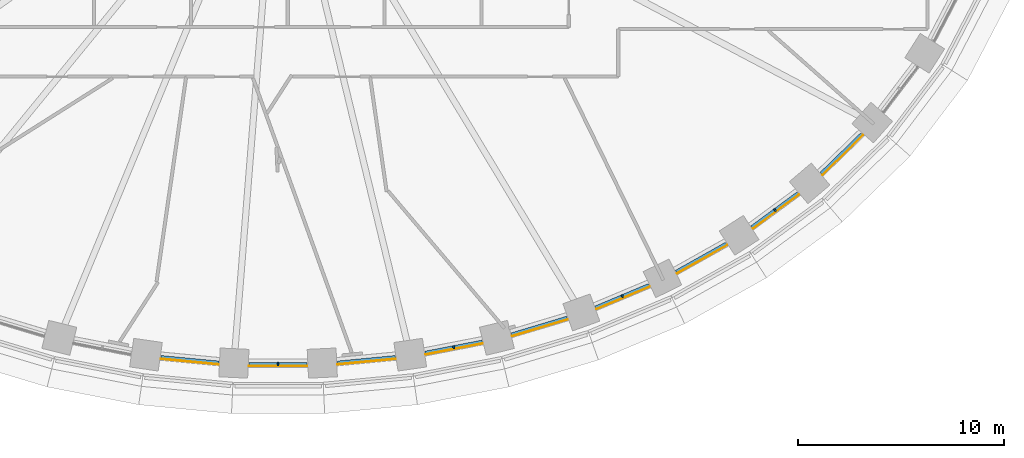
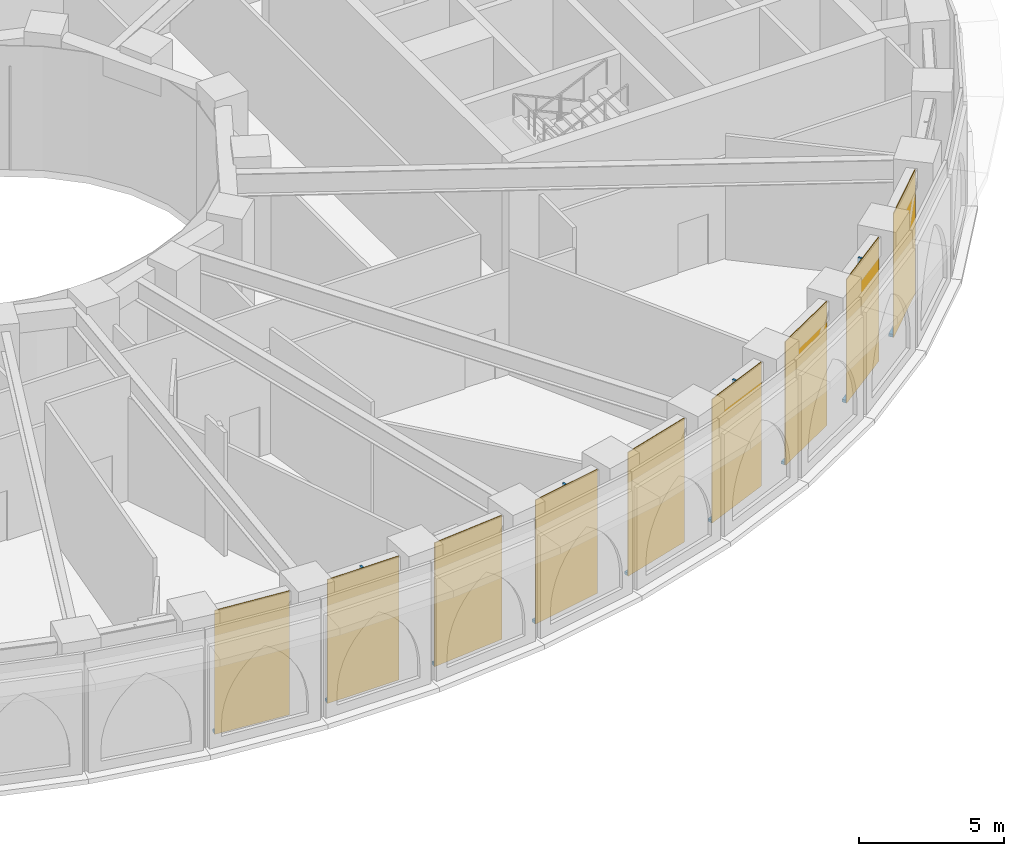
# One storey, part 14 of 25: 13 members, 9 curtain walls.
"""IFC4 building model written with IfcOpenShell, lengths in metres."""

from ifc_helpers import new_model, si_unit, direction, frame, origin, origin_2d, place, context, subcontext, project, spatial, polyline, rectangle, outline, extrude, material, layer, layer_set, material_profile, profile_set, type_object, element, aggregate, save


model = new_model("IFC4")

# Units and contexts
model_context = context("Model", 3, precision=1e-05, world=origin(), true_north=direction((0.0, 1.0)))
body_context = subcontext(model_context, "Body", "Model", "MODEL_VIEW")
ifc_project = project(units=[si_unit("LENGTHUNIT", "METRE"), si_unit("AREAUNIT", "SQUARE_METRE"), si_unit("VOLUMEUNIT", "CUBIC_METRE"), si_unit("PLANEANGLEUNIT", "RADIAN"), si_unit("MASSUNIT", "GRAM", prefix="KILO")], contexts=[model_context])

# Member
ifc_material_1 = material(Name="Aluminium 6063-T6 black anodised", Category="aluminium")
ifc_material_profile = material_profile(ifc_material_1, rectangle(XDim=0.14990234375, YDim=0.080078125, at=origin_2d()), Name="150x80")
ifc_profile_set = profile_set([ifc_material_profile], Name="Aluminium 6063-T6 black anodised")
member_type_1 = type_object("IfcMemberType", Name="ENV-MULLION-B-150", PredefinedType="MULLION", material=ifc_profile_set)
site_placement = place(None, origin())
building_placement = place(site_placement, origin())
storey_placement = place(building_placement, frame((0.0, 0.0, 82.5)))
member_1_placement = place(storey_placement, frame((0.0, -26.94091796875, 0.1201171875), z_axis=(0.0, 0.0, 1.0), x_axis=(0.0, 1.0, 0.0)))
member_1 = element("IfcMember", 1, at=member_1_placement, type_object=member_type_1, Name="Mullion B chord 35", PredefinedType="MULLION", context=body_context, shape_type="SweptSolid", body=[
    extrude(rectangle(XDim=0.14990234375, YDim=0.080078125, at=origin_2d()), origin(), (0.0, 0.0, 1.0), 5.079833984375),
])

member_2_placement = place(storey_placement, frame((8.51953125, -26.12451171875, 0.1201171875), z_axis=(0.0, 0.0, 1.0), x_axis=(-0.190820470077, 0.981624952922, 0.0)))
member_2 = element("IfcMember", 2, at=member_2_placement, type_object=member_type_1, Name="Mullion B chord 37", PredefinedType="MULLION", context=body_context, shape_type="SweptSolid", body=[
    extrude(rectangle(XDim=0.14990234375, YDim=0.080078125, at=origin_2d()), origin(), (0.0, 0.0, 1.0), 5.079833984375),
])

member_3_placement = place(storey_placement, frame((16.69482421875, -23.652587890625, 0.1201171875), z_axis=(0.0, 0.0, 1.0), x_axis=(-0.387638279686, 0.921811566494, 0.0)))
member_3 = element("IfcMember", 3, at=member_3_placement, type_object=member_type_1, Name="Mullion B chord 39", PredefinedType="MULLION", context=body_context, shape_type="SweptSolid", body=[
    extrude(rectangle(XDim=0.14990234375, YDim=0.080078125, at=origin_2d()), origin(), (0.0, 0.0, 1.0), 5.079833984375),
])

member_4_placement = place(storey_placement, frame((24.098388671875, -19.474365234375, 0.1201171875), z_axis=(0.0, 0.0, 1.0), x_axis=(-0.593067090304, 0.805153045326, 0.0)))
member_4 = element("IfcMember", 4, at=member_4_placement, type_object=member_type_1, Name="Mullion B chord 41", PredefinedType="MULLION", context=body_context, shape_type="SweptSolid", body=[
    extrude(rectangle(XDim=0.14990234375, YDim=0.080078125, at=origin_2d()), origin(), (0.0, 0.0, 1.0), 5.079833984375),
])

ifc_material_2 = material(Name="Aluminium 6063-T6 black anodised", Category="aluminium")
member_type_2 = type_object("IfcMemberType", Name="ENV-TRANSOM-B", PredefinedType="USERDEFINED", material=ifc_material_2)
member_5_placement = place(storey_placement, origin())
member_5 = element("IfcMember", 5, at=member_5_placement, type_object=member_type_2, Name="Transom B radial 34-35", ObjectType="TRANSOM", PredefinedType="USERDEFINED", context=body_context, shape_type="SweptSolid", body=[
    extrude(outline(polyline([(-5.6962890625, -26.677490234375), (-2.8779296875, -26.9462890625), (-2.870849609375, -26.79638671875), (-5.6748046875, -26.52880859375), (-5.6962890625, -26.677490234375)])), origin(), (0.0, 0.0, 1.0), 0.1201171875),
])

member_6_placement = place(storey_placement, origin())
member_6 = element("IfcMember", 6, at=member_6_placement, type_object=member_type_2, Name="Transom B radial 35-36", ObjectType="TRANSOM", PredefinedType="USERDEFINED", context=body_context, shape_type="SweptSolid", body=[
    extrude(outline(polyline([(-1.416259765625, -27.01611328125), (1.416259765625, -27.01611328125), (1.4091796875, -26.865966796875), (-1.4091796875, -26.865966796875), (-1.416259765625, -27.01611328125)])), origin(), (0.0, 0.0, 1.0), 0.1201171875),
])

member_7_placement = place(storey_placement, origin())
member_7 = element("IfcMember", 7, at=member_7_placement, type_object=member_type_2, Name="Transom B radial 36-37", ObjectType="TRANSOM", PredefinedType="USERDEFINED", context=body_context, shape_type="SweptSolid", body=[
    extrude(outline(polyline([(2.8779296875, -26.9462890625), (5.6962890625, -26.677490234375), (5.6748046875, -26.52880859375), (2.870849609375, -26.79638671875), (2.8779296875, -26.9462890625)])), origin(), (0.0, 0.0, 1.0), 0.1201171875),
])

member_8_placement = place(storey_placement, origin())
member_8 = element("IfcMember", 8, at=member_8_placement, type_object=member_type_2, Name="Transom B radial 37-38", ObjectType="TRANSOM", PredefinedType="USERDEFINED", context=body_context, shape_type="SweptSolid", body=[
    extrude(outline(polyline([(7.145751953125, -26.468017578125), (9.9208984375, -25.928466796875), (9.884765625, -25.78271484375), (7.124267578125, -26.319091796875), (7.145751953125, -26.468017578125)])), origin(), (0.0, 0.0, 1.0), 0.1201171875),
])

member_9_placement = place(storey_placement, origin())
member_9 = element("IfcMember", 9, at=member_9_placement, type_object=member_type_2, Name="Transom B radial 38-39", ObjectType="TRANSOM", PredefinedType="USERDEFINED", context=body_context, shape_type="SweptSolid", body=[
    extrude(outline(polyline([(11.344482421875, -25.57666015625), (14.044677734375, -24.76416015625), (13.993896484375, -24.622802734375), (11.30859375, -25.430908203125), (11.344482421875, -25.57666015625)])), origin(), (0.0, 0.0, 1.0), 0.1201171875),
])

member_10_placement = place(storey_placement, origin())
member_10 = element("IfcMember", 10, at=member_10_placement, type_object=member_type_2, Name="Transom B radial 39-40", ObjectType="TRANSOM", PredefinedType="USERDEFINED", context=body_context, shape_type="SweptSolid", body=[
    extrude(outline(polyline([(15.427978515625, -24.2666015625), (18.017333984375, -23.177978515625), (17.951416015625, -23.04296875), (15.377197265625, -24.12548828125), (15.427978515625, -24.2666015625)])), origin(), (0.0, 0.0, 1.0), 0.1201171875),
])

member_11_placement = place(storey_placement, origin())
member_11 = element("IfcMember", 11, at=member_11_placement, type_object=member_type_2, Name="Transom B radial 40-41", ObjectType="TRANSOM", PredefinedType="USERDEFINED", context=body_context, shape_type="SweptSolid", body=[
    extrude(outline(polyline([(19.34228515625, -22.530029296875), (21.779296875, -21.162353515625), (21.69775390625, -21.0361328125), (19.2763671875, -22.39501953125), (19.34228515625, -22.530029296875)])), origin(), (0.0, 0.0, 1.0), 0.1201171875),
])

member_12_placement = place(storey_placement, origin())
member_12 = element("IfcMember", 12, at=member_12_placement, type_object=member_type_2, Name="Transom B radial 41-42", ObjectType="TRANSOM", PredefinedType="USERDEFINED", context=body_context, shape_type="SweptSolid", body=[
    extrude(outline(polyline([(23.0234375, -20.359375), (25.258544921875, -18.712890625), (25.161376953125, -18.598388671875), (22.94189453125, -20.23291015625), (23.0234375, -20.359375)])), origin(), (0.0, 0.0, 1.0), 0.1201171875),
])

member_13_placement = place(storey_placement, origin())
member_13 = element("IfcMember", 13, at=member_13_placement, type_object=member_type_2, Name="Transom B radial 42-43", ObjectType="TRANSOM", PredefinedType="USERDEFINED", context=body_context, shape_type="SweptSolid", body=[
    extrude(outline(polyline([(26.394287109375, -17.750732421875), (28.368896484375, -15.832275390625), (28.256103515625, -15.732666015625), (26.297119140625, -17.635986328125), (26.394287109375, -17.750732421875)])), origin(), (0.0, 0.0, 1.0), 0.1201171875),
])

# Site, building, storey
site = spatial("IfcSite", under=ifc_project, at=site_placement, CompositionType="ELEMENT")
building = spatial("IfcBuilding", under=site, at=building_placement, Name="Noorbagh Ring Tower", CompositionType="ELEMENT")
storey = spatial("IfcBuildingStorey", under=building, at=storey_placement, Name="L18", CompositionType="ELEMENT", Elevation=82.5)

# Curtain wall
ifc_material_3 = material(Name="Glass dark tinted laminated", Category="glass")
ifc_layer = layer(ifc_material_3, 0.031982421875)
ifc_layer_set = layer_set([ifc_layer], Name="Glass dark tinted laminated")
curtain_wall_type = type_object("IfcCurtainWallType", Name="ENV-CW-B", PredefinedType="NOTDEFINED", material=ifc_layer_set)
curtain_wall_1_placement = place(storey_placement, origin())
curtain_wall_1 = element("IfcCurtainWall", 14, at=curtain_wall_1_placement, inside=storey, type_object=curtain_wall_type, Name="Curtain wall B R34", PredefinedType="NOTDEFINED", context=body_context, shape_type="SweptSolid", body=[
    extrude(outline(polyline([(-5.700927734375, -26.708984375), (-2.87939453125, -26.978515625), (-2.8779296875, -26.9462890625), (-5.6962890625, -26.677490234375), (-5.700927734375, -26.708984375)])), origin(), (0.0, 0.0, 1.0), 5.199951171875),
])

aggregate(curtain_wall_1, [member_5])

curtain_wall_2_placement = place(storey_placement, origin())
curtain_wall_2 = element("IfcCurtainWall", 15, at=curtain_wall_2_placement, inside=storey, type_object=curtain_wall_type, Name="Curtain wall B R35", PredefinedType="NOTDEFINED", context=body_context, shape_type="SweptSolid", body=[
    extrude(outline(polyline([(-1.417724609375, -27.048095703125), (1.417724609375, -27.048095703125), (1.416259765625, -27.01611328125), (-1.416259765625, -27.01611328125), (-1.417724609375, -27.048095703125)])), origin(), (0.0, 0.0, 1.0), 5.199951171875),
])

aggregate(curtain_wall_2, [member_1, member_6])

curtain_wall_3_placement = place(storey_placement, origin())
curtain_wall_3 = element("IfcCurtainWall", 16, at=curtain_wall_3_placement, inside=storey, type_object=curtain_wall_type, Name="Curtain wall B R36", PredefinedType="NOTDEFINED", context=body_context, shape_type="SweptSolid", body=[
    extrude(outline(polyline([(2.87939453125, -26.978515625), (5.700927734375, -26.708984375), (5.6962890625, -26.677490234375), (2.8779296875, -26.9462890625), (2.87939453125, -26.978515625)])), origin(), (0.0, 0.0, 1.0), 5.199951171875),
])

aggregate(curtain_wall_3, [member_7])

curtain_wall_4_placement = place(storey_placement, origin())
curtain_wall_4 = element("IfcCurtainWall", 17, at=curtain_wall_4_placement, inside=storey, type_object=curtain_wall_type, Name="Curtain wall B R37", PredefinedType="NOTDEFINED", context=body_context, shape_type="SweptSolid", body=[
    extrude(outline(polyline([(7.150390625, -26.49951171875), (9.928466796875, -25.95947265625), (9.9208984375, -25.928466796875), (7.145751953125, -26.468017578125), (7.150390625, -26.49951171875)])), origin(), (0.0, 0.0, 1.0), 5.199951171875),
])

aggregate(curtain_wall_4, [member_2, member_8])

curtain_wall_5_placement = place(storey_placement, origin())
curtain_wall_5 = element("IfcCurtainWall", 18, at=curtain_wall_5_placement, inside=storey, type_object=curtain_wall_type, Name="Curtain wall B R38", PredefinedType="NOTDEFINED", context=body_context, shape_type="SweptSolid", body=[
    extrude(outline(polyline([(11.352294921875, -25.60791015625), (14.055419921875, -24.794189453125), (14.044677734375, -24.76416015625), (11.344482421875, -25.57666015625), (11.352294921875, -25.60791015625)])), origin(), (0.0, 0.0, 1.0), 5.199951171875),
])

aggregate(curtain_wall_5, [member_9])

curtain_wall_6_placement = place(storey_placement, origin())
curtain_wall_6 = element("IfcCurtainWall", 19, at=curtain_wall_6_placement, inside=storey, type_object=curtain_wall_type, Name="Curtain wall B R39", PredefinedType="NOTDEFINED", context=body_context, shape_type="SweptSolid", body=[
    extrude(outline(polyline([(15.438720703125, -24.296875), (18.031494140625, -23.206787109375), (18.017333984375, -23.177978515625), (15.427978515625, -24.2666015625), (15.438720703125, -24.296875)])), origin(), (0.0, 0.0, 1.0), 5.199951171875),
])

aggregate(curtain_wall_6, [member_3, member_10])

curtain_wall_7_placement = place(storey_placement, origin())
curtain_wall_7 = element("IfcCurtainWall", 20, at=curtain_wall_7_placement, inside=storey, type_object=curtain_wall_type, Name="Curtain wall B R40", PredefinedType="NOTDEFINED", context=body_context, shape_type="SweptSolid", body=[
    extrude(outline(polyline([(19.356201171875, -22.558837890625), (21.796630859375, -21.189208984375), (21.779296875, -21.162353515625), (19.34228515625, -22.530029296875), (19.356201171875, -22.558837890625)])), origin(), (0.0, 0.0, 1.0), 5.199951171875),
])

aggregate(curtain_wall_7, [member_11])

curtain_wall_8_placement = place(storey_placement, origin())
curtain_wall_8 = element("IfcCurtainWall", 21, at=curtain_wall_8_placement, inside=storey, type_object=curtain_wall_type, Name="Curtain wall B R41", PredefinedType="NOTDEFINED", context=body_context, shape_type="SweptSolid", body=[
    extrude(outline(polyline([(23.041015625, -20.38623046875), (25.279296875, -18.737548828125), (25.258544921875, -18.712890625), (23.0234375, -20.359375), (23.041015625, -20.38623046875)])), origin(), (0.0, 0.0, 1.0), 5.199951171875),
])

aggregate(curtain_wall_8, [member_4, member_12])

curtain_wall_9_placement = place(storey_placement, origin())
curtain_wall_9 = element("IfcCurtainWall", 22, at=curtain_wall_9_placement, inside=storey, type_object=curtain_wall_type, Name="Curtain wall B R42", PredefinedType="NOTDEFINED", context=body_context, shape_type="SweptSolid", body=[
    extrude(outline(polyline([(26.4150390625, -17.775146484375), (28.392822265625, -15.853515625), (28.368896484375, -15.832275390625), (26.394287109375, -17.750732421875), (26.4150390625, -17.775146484375)])), origin(), (0.0, 0.0, 1.0), 5.199951171875),
])

aggregate(curtain_wall_9, [member_13])

save(model, "model.ifc")
